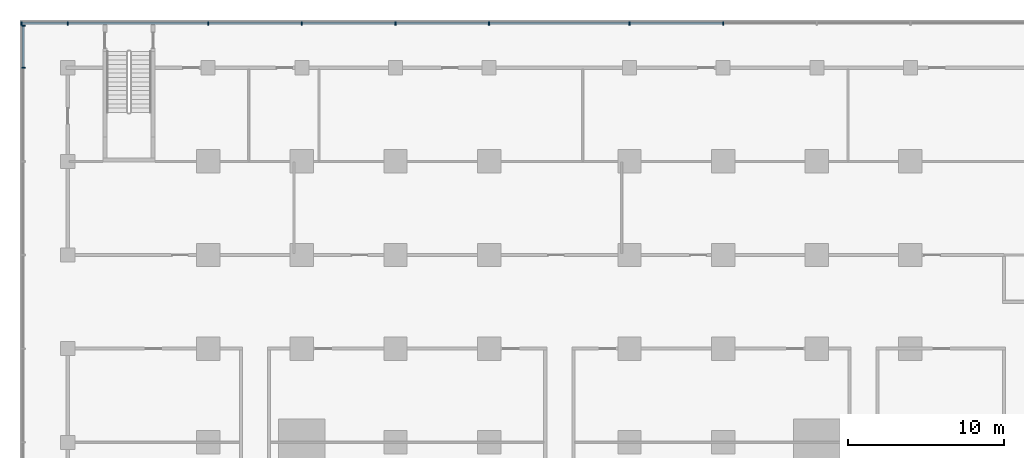
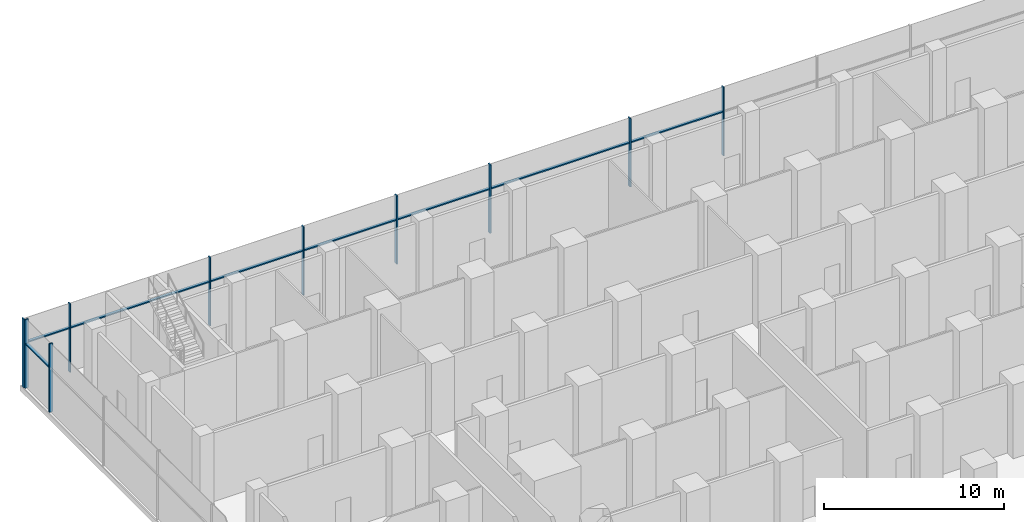
# One storey, part 7 of 22: 18 members, 2 elements without a shape of their own.
"""IFC4 building model written with IfcOpenShell, lengths in metres."""

from ifc_helpers import new_model, si_unit, direction, frame, origin, origin_2d, place, context, subcontext, project, spatial, rectangle, extrude, material, material_profile, profile_set, type_object, element, aggregate, save


model = new_model("IFC4")

# Units and contexts
model_context = context("Model", 3, precision=1e-05, world=origin(), true_north=direction((0.0, 1.0)))
body_context = subcontext(model_context, "Body", "Model", "MODEL_VIEW")
ifc_project = project(units=[si_unit("LENGTHUNIT", "METRE"), si_unit("AREAUNIT", "SQUARE_METRE"), si_unit("VOLUMEUNIT", "CUBIC_METRE"), si_unit("PLANEANGLEUNIT", "RADIAN"), si_unit("MASSUNIT", "GRAM", prefix="KILO")], contexts=[model_context])

# Site, building, storey
site_placement = place(None, origin())
site = spatial("IfcSite", under=ifc_project, at=site_placement, CompositionType="ELEMENT")
building_placement = place(site_placement, origin())
building = spatial("IfcBuilding", under=site, at=building_placement, Name="Finial Court Residences", CompositionType="ELEMENT")
storey_placement = place(building_placement, frame((0.0, 0.0, 18.5)))
storey = spatial("IfcBuildingStorey", under=building, at=storey_placement, Name="L03", CompositionType="ELEMENT", Elevation=18.5)

# Curtain wall, members
ifc_material = material(Name="Bronze anodised aluminium", Category="aluminium")
curtain_wall_type = type_object("IfcCurtainWallType", Name="Podium curtain wall", PredefinedType="NOTDEFINED", material=ifc_material)
curtain_wall_1_placement = place(storey_placement, origin())
curtain_wall_1 = element("IfcCurtainWall", 1, at=curtain_wall_1_placement, inside=storey, type_object=curtain_wall_type, Name="E-L03-CW-N1", PredefinedType="NOTDEFINED")
ifc_material_profile_1 = material_profile(ifc_material, rectangle(XDim=0.22509765625, YDim=0.080078125, at=origin_2d()), Name="CW5 mullion 80 x 225")
ifc_profile_set_1 = profile_set([ifc_material_profile_1], Name="Bronze anodised aluminium")
member_type_1 = type_object("IfcMemberType", Name="CW5 mullion 80 x 225", PredefinedType="MULLION", material=ifc_profile_set_1)
member_1_placement = place(storey_placement, frame((-34.4599609375, 34.35009765625, 0.0), z_axis=(0.0, 0.0, 1.0), x_axis=(0.0, 1.0, 0.0)))
member_1 = element("IfcMember", 2, at=member_1_placement, type_object=member_type_1, Name="CW5 mullion 1", PredefinedType="MULLION", context=body_context, shape_type="SweptSolid", body=[
    extrude(rectangle(XDim=0.22509765625, YDim=0.080078125, at=origin_2d()), origin(), (0.0, 0.0, 1.0), 4.64990234375),
])
member_2_placement = place(storey_placement, frame((-31.5, 34.35009765625, 0.0), z_axis=(0.0, 0.0, 1.0), x_axis=(0.0, 1.0, 0.0)))
member_2 = element("IfcMember", 3, at=member_2_placement, type_object=member_type_1, Name="CW5 mullion 2", PredefinedType="MULLION", context=body_context, shape_type="SweptSolid", body=[
    extrude(rectangle(XDim=0.22509765625, YDim=0.080078125, at=origin_2d()), origin(), (0.0, 0.0, 1.0), 4.64990234375),
])
member_3_placement = place(storey_placement, frame((-22.5, 34.35009765625, 0.0), z_axis=(0.0, 0.0, 1.0), x_axis=(0.0, 1.0, 0.0)))
member_3 = element("IfcMember", 4, at=member_3_placement, type_object=member_type_1, Name="CW5 mullion 3", PredefinedType="MULLION", context=body_context, shape_type="SweptSolid", body=[
    extrude(rectangle(XDim=0.22509765625, YDim=0.080078125, at=origin_2d()), origin(), (0.0, 0.0, 1.0), 4.64990234375),
])
member_4_placement = place(storey_placement, frame((-16.5, 34.35009765625, 0.0), z_axis=(0.0, 0.0, 1.0), x_axis=(0.0, 1.0, 0.0)))
member_4 = element("IfcMember", 5, at=member_4_placement, type_object=member_type_1, Name="CW5 mullion 4", PredefinedType="MULLION", context=body_context, shape_type="SweptSolid", body=[
    extrude(rectangle(XDim=0.22509765625, YDim=0.080078125, at=origin_2d()), origin(), (0.0, 0.0, 1.0), 4.64990234375),
])
member_5_placement = place(storey_placement, frame((-10.5, 34.35009765625, 0.0), z_axis=(0.0, 0.0, 1.0), x_axis=(0.0, 1.0, 0.0)))
member_5 = element("IfcMember", 6, at=member_5_placement, type_object=member_type_1, Name="CW5 mullion 5", PredefinedType="MULLION", context=body_context, shape_type="SweptSolid", body=[
    extrude(rectangle(XDim=0.22509765625, YDim=0.080078125, at=origin_2d()), origin(), (0.0, 0.0, 1.0), 4.64990234375),
])
member_6_placement = place(storey_placement, frame((-4.5, 34.35009765625, 0.0), z_axis=(0.0, 0.0, 1.0), x_axis=(0.0, 1.0, 0.0)))
member_6 = element("IfcMember", 7, at=member_6_placement, type_object=member_type_1, Name="CW5 mullion 6", PredefinedType="MULLION", context=body_context, shape_type="SweptSolid", body=[
    extrude(rectangle(XDim=0.22509765625, YDim=0.080078125, at=origin_2d()), origin(), (0.0, 0.0, 1.0), 4.64990234375),
])
member_7_placement = place(storey_placement, frame((4.5, 34.35009765625, 0.0), z_axis=(0.0, 0.0, 1.0), x_axis=(0.0, 1.0, 0.0)))
member_7 = element("IfcMember", 8, at=member_7_placement, type_object=member_type_1, Name="CW5 mullion 7", PredefinedType="MULLION", context=body_context, shape_type="SweptSolid", body=[
    extrude(rectangle(XDim=0.22509765625, YDim=0.080078125, at=origin_2d()), origin(), (0.0, 0.0, 1.0), 4.64990234375),
])
member_8_placement = place(storey_placement, frame((10.5, 34.35009765625, 0.0), z_axis=(0.0, 0.0, 1.0), x_axis=(0.0, 1.0, 0.0)))
member_8 = element("IfcMember", 9, at=member_8_placement, type_object=member_type_1, Name="CW5 mullion 8", PredefinedType="MULLION", context=body_context, shape_type="SweptSolid", body=[
    extrude(rectangle(XDim=0.22509765625, YDim=0.080078125, at=origin_2d()), origin(), (0.0, 0.0, 1.0), 4.64990234375),
])

curtain_wall_2_placement = place(storey_placement, origin())
curtain_wall_2 = element("IfcCurtainWall", 10, at=curtain_wall_2_placement, inside=storey, type_object=curtain_wall_type, Name="E-L03-CW-W4", PredefinedType="NOTDEFINED")
member_9_placement = place(storey_placement, frame((-34.35009765625, 31.5, 0.0), z_axis=(0.0, 0.0, 1.0), x_axis=(-1.0, 0.0, 0.0)))
member_9 = element("IfcMember", 11, at=member_9_placement, type_object=member_type_1, Name="CW5 mullion 11", PredefinedType="MULLION", context=body_context, shape_type="SweptSolid", body=[
    extrude(rectangle(XDim=0.22509765625, YDim=0.080078125, at=origin_2d()), origin(), (0.0, 0.0, 1.0), 4.64990234375),
])
member_10_placement = place(storey_placement, frame((-34.35009765625, 34.197509765625, 0.0), z_axis=(0.0, 0.0, 1.0), x_axis=(-1.0, 0.0, 0.0)))
member_10 = element("IfcMember", 12, at=member_10_placement, type_object=member_type_1, Name="CW5 mullion 12", PredefinedType="MULLION", context=body_context, shape_type="SweptSolid", body=[
    extrude(rectangle(XDim=0.22509765625, YDim=0.080078125, at=origin_2d()), origin(), (0.0, 0.0, 1.0), 4.64990234375),
])

# Member
ifc_material_profile_2 = material_profile(ifc_material, rectangle(XDim=0.175048828125, YDim=0.080078125, at=origin_2d()), Name="CW5 transom 80 x 175")
ifc_profile_set_2 = profile_set([ifc_material_profile_2], Name="Bronze anodised aluminium")
member_type_2 = type_object("IfcMemberType", Name="CW5 transom 80 x 175", PredefinedType="USERDEFINED", material=ifc_profile_set_2)
member_11_placement = place(storey_placement, frame((-34.419921875, 34.35009765625, 3.0), z_axis=(1.0, 0.0, 0.0), x_axis=(0.0, 1.0, 0.0)))
member_11 = element("IfcMember", 13, at=member_11_placement, type_object=member_type_2, Name="CW5 transom 1.1", ObjectType="TRANSOM", PredefinedType="USERDEFINED", context=body_context, shape_type="SweptSolid", body=[
    extrude(rectangle(XDim=0.175048828125, YDim=0.080078125, at=origin_2d()), origin(), (0.0, 0.0, 1.0), 2.8798828125),
])

member_12_placement = place(storey_placement, frame((-31.4599609375, 34.35009765625, 3.0), z_axis=(1.0, 0.0, 0.0), x_axis=(0.0, 1.0, 0.0)))
member_12 = element("IfcMember", 14, at=member_12_placement, type_object=member_type_2, Name="CW5 transom 2.1", ObjectType="TRANSOM", PredefinedType="USERDEFINED", context=body_context, shape_type="SweptSolid", body=[
    extrude(rectangle(XDim=0.175048828125, YDim=0.080078125, at=origin_2d()), origin(), (0.0, 0.0, 1.0), 8.919921875),
])

member_13_placement = place(storey_placement, frame((-22.4599609375, 34.35009765625, 3.0), z_axis=(1.0, 0.0, 0.0), x_axis=(0.0, 1.0, 0.0)))
member_13 = element("IfcMember", 15, at=member_13_placement, type_object=member_type_2, Name="CW5 transom 3.1", ObjectType="TRANSOM", PredefinedType="USERDEFINED", context=body_context, shape_type="SweptSolid", body=[
    extrude(rectangle(XDim=0.175048828125, YDim=0.080078125, at=origin_2d()), origin(), (0.0, 0.0, 1.0), 5.919921875),
])

member_14_placement = place(storey_placement, frame((-16.4599609375, 34.35009765625, 3.0), z_axis=(1.0, 0.0, 0.0), x_axis=(0.0, 1.0, 0.0)))
member_14 = element("IfcMember", 16, at=member_14_placement, type_object=member_type_2, Name="CW5 transom 4.1", ObjectType="TRANSOM", PredefinedType="USERDEFINED", context=body_context, shape_type="SweptSolid", body=[
    extrude(rectangle(XDim=0.175048828125, YDim=0.080078125, at=origin_2d()), origin(), (0.0, 0.0, 1.0), 5.919921875),
])

member_15_placement = place(storey_placement, frame((-10.4599609375, 34.35009765625, 3.0), z_axis=(1.0, 0.0, 0.0), x_axis=(0.0, 1.0, 0.0)))
member_15 = element("IfcMember", 17, at=member_15_placement, type_object=member_type_2, Name="CW5 transom 5.1", ObjectType="TRANSOM", PredefinedType="USERDEFINED", context=body_context, shape_type="SweptSolid", body=[
    extrude(rectangle(XDim=0.175048828125, YDim=0.080078125, at=origin_2d()), origin(), (0.0, 0.0, 1.0), 5.919921875),
])

member_16_placement = place(storey_placement, frame((-4.4599609375, 34.35009765625, 3.0), z_axis=(1.0, 0.0, 0.0), x_axis=(0.0, 1.0, 0.0)))
member_16 = element("IfcMember", 18, at=member_16_placement, type_object=member_type_2, Name="CW5 transom 6.1", ObjectType="TRANSOM", PredefinedType="USERDEFINED", context=body_context, shape_type="SweptSolid", body=[
    extrude(rectangle(XDim=0.175048828125, YDim=0.080078125, at=origin_2d()), origin(), (0.0, 0.0, 1.0), 8.919921875),
])

member_17_placement = place(storey_placement, frame((4.5400390625, 34.35009765625, 3.0), z_axis=(1.0, 0.0, 0.0), x_axis=(0.0, 1.0, 0.0)))
member_17 = element("IfcMember", 19, at=member_17_placement, type_object=member_type_2, Name="CW5 transom 7.1", ObjectType="TRANSOM", PredefinedType="USERDEFINED", context=body_context, shape_type="SweptSolid", body=[
    extrude(rectangle(XDim=0.175048828125, YDim=0.080078125, at=origin_2d()), origin(), (0.0, 0.0, 1.0), 5.919921875),
])

aggregate(curtain_wall_1, [member_1, member_2, member_3, member_4, member_5, member_6, member_7, member_8, member_11, member_12, member_13, member_14, member_15, member_16, member_17])

member_18_placement = place(storey_placement, frame((-34.35009765625, 31.5400390625, 3.0), z_axis=(0.0, 1.0, 0.0), x_axis=(-1.0, 0.0, 0.0)))
member_18 = element("IfcMember", 20, at=member_18_placement, type_object=member_type_2, Name="CW5 transom 11.1", ObjectType="TRANSOM", PredefinedType="USERDEFINED", context=body_context, shape_type="SweptSolid", body=[
    extrude(rectangle(XDim=0.175048828125, YDim=0.080078125, at=origin_2d()), origin(), (0.0, 0.0, 1.0), 2.617431640625),
])

aggregate(curtain_wall_2, [member_9, member_10, member_18])

save(model, "model.ifc")
